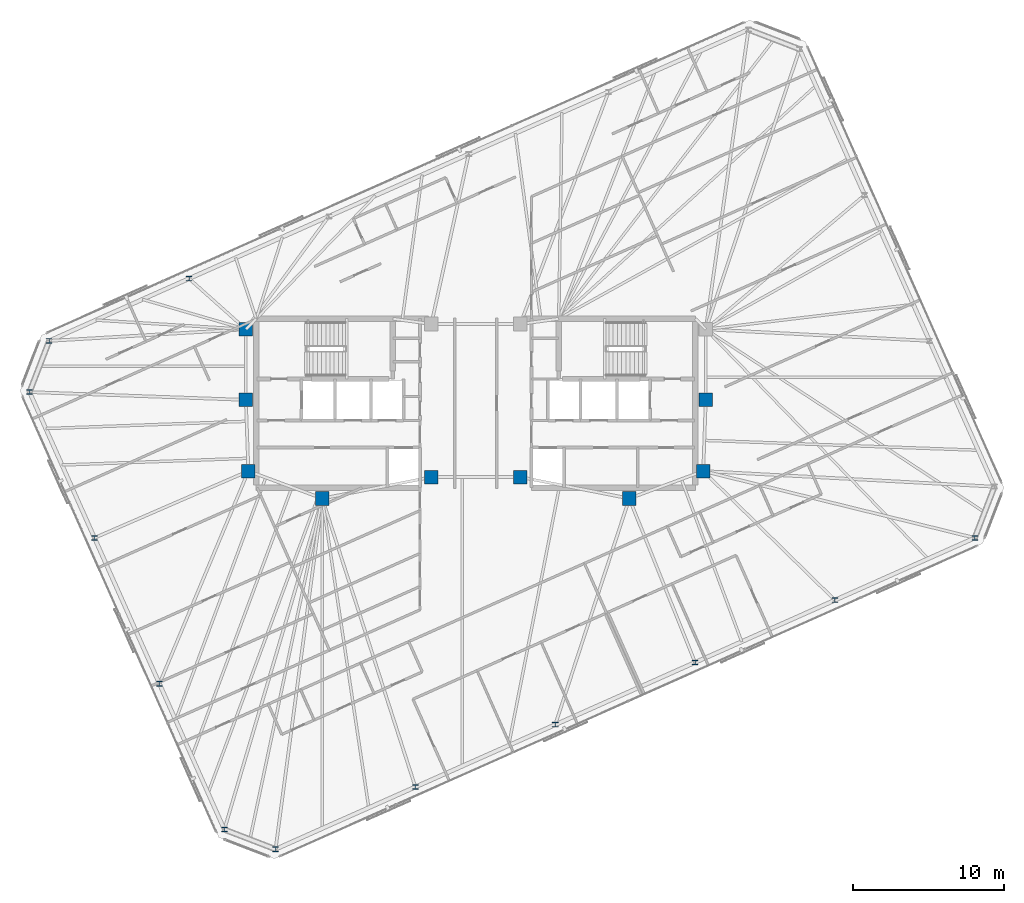
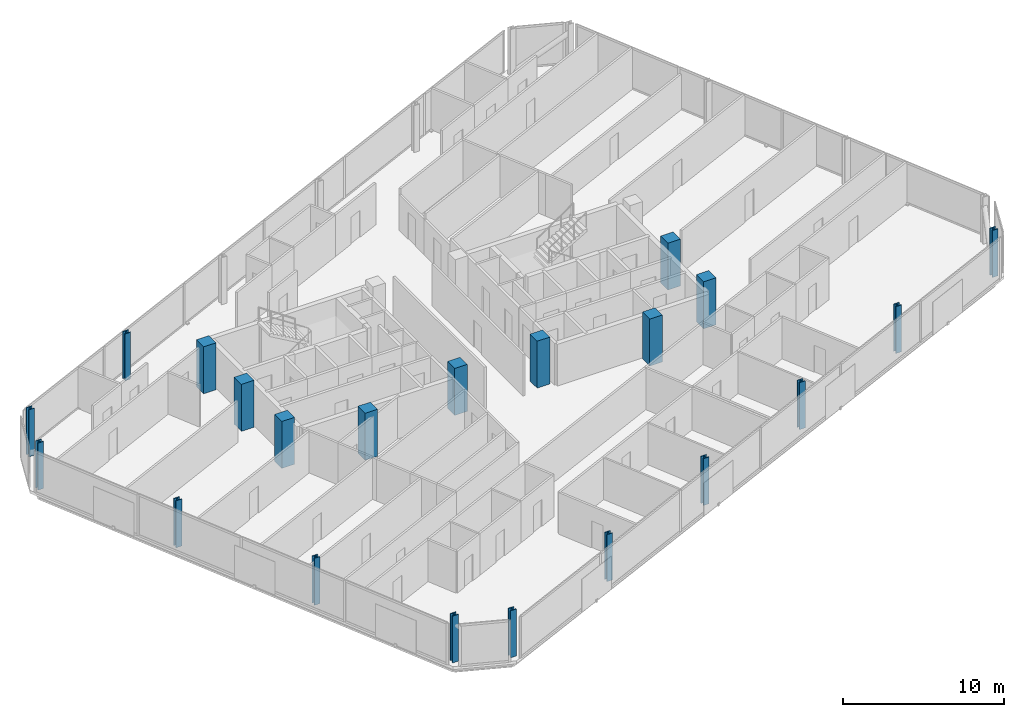
# One storey, part 1 of 19: 21 columns.
"""IFC4 building model written with IfcOpenShell, lengths in metres."""

from ifc_helpers import new_model, si_unit, direction, frame, origin, origin_2d, place, context, subcontext, project, spatial, rectangle, i_section, extrude, material, material_profile, profile_set, type_object, element, save


model = new_model("IFC4")

# Units and contexts
model_context = context("Model", 3, precision=1e-05, world=origin(), true_north=direction((0.0, 1.0)))
body_context = subcontext(model_context, "Body", "Model", "MODEL_VIEW")
ifc_project = project(units=[si_unit("LENGTHUNIT", "METRE"), si_unit("AREAUNIT", "SQUARE_METRE"), si_unit("VOLUMEUNIT", "CUBIC_METRE"), si_unit("PLANEANGLEUNIT", "RADIAN"), si_unit("MASSUNIT", "GRAM", prefix="KILO")], contexts=[model_context])

# Site, building, storey
site_placement = place(None, origin())
site = spatial("IfcSite", under=ifc_project, at=site_placement, CompositionType="ELEMENT")
building_placement = place(site_placement, origin())
building = spatial("IfcBuilding", under=site, at=building_placement, Name="Menara Jurai Vektor", CompositionType="ELEMENT")
storey_placement = place(building_placement, frame((0.0, 0.0, 302.0)))
storey = spatial("IfcBuildingStorey", under=building, at=storey_placement, Name="L81", CompositionType="ELEMENT", Elevation=302.0)

# Columns
ifc_material_1 = material(Name="Concrete C50/60", Category="concrete")
ifc_material_profile_1 = material_profile(ifc_material_1, rectangle(XDim=0.89990234375, YDim=0.89990234375, at=origin_2d()), Name="RC 900x900")
ifc_profile_set_1 = profile_set([ifc_material_profile_1], Name="Concrete C50/60")
column_type_1 = type_object("IfcColumnType", Name="STR-COL-RC900", PredefinedType="COLUMN", material=ifc_profile_set_1)
for number, where, z_axis, x_axis, name in (
    (1, (-15.25, 4.89990234375, 0.0), (0.0, 0.0, 1.0), (1.0, 0.0, 0.0), "Core Spine Column CW-NW L81"),
    (2, (-15.25, 0.219970703125, 0.0), (0.0, 0.0, 1.0), (1.0, 0.0, 0.0), "Core Spine Column CW-WM L81"),
    (3, (-15.080078125, -4.5, 0.0), (0.0, 0.0, 1.0), (1.0, 0.0, 0.0), "Core Spine Column CW-SW L81"),
    (4, (-10.179931640625, -6.320068359375, 0.0), (0.0, 0.0, 1.0), (1.0, 0.0, 0.0), "Core Spine Column CW-SM L81"),
    (5, (-2.949951171875, -4.89990234375, 0.0), (0.0, 0.0, 1.0), (1.0, 0.0, 0.0), "Core Spine Column CW-SE L81"),
    (6, (15.25, 0.219970703125, 0.0), (0.0, 0.0, 1.0), (1.0, 0.0, 0.0), "Core Spine Column CE-EM L81"),
    (7, (15.080078125, -4.5, 0.0), (0.0, 0.0, 1.0), (1.0, 0.0, 0.0), "Core Spine Column CE-SE L81"),
    (8, (10.179931640625, -6.320068359375, 0.0), (0.0, 0.0, 1.0), (1.0, 0.0, 0.0), "Core Spine Column CE-SM L81"),
    (9, (2.949951171875, -4.89990234375, 0.0), (0.0, 0.0, 1.0), (1.0, 0.0, 0.0), "Core Spine Column CE-SW L81"),
):
    element("IfcColumn", number, at=place(storey_placement, frame(where, z_axis=z_axis, x_axis=x_axis)), inside=storey, type_object=column_type_1, Name=name, PredefinedType="COLUMN", context=body_context, shape_type="SweptSolid", body=[
        extrude(rectangle(XDim=0.89990234375, YDim=0.89990234375, at=origin_2d()), origin(), (0.0, 0.0, 1.0), 3.550048828125),
    ])
ifc_material_2 = material(Name="Steel S460", Category="steel")
ifc_material_profile_2 = material_profile(ifc_material_2, i_section(OverallWidth=0.40087890625, OverallDepth=0.3349609375, WebThickness=0.035888671875, FlangeThickness=0.05810546875, FilletRadius=0.014892578125, at=origin_2d()), Name="HD 400x463")
ifc_profile_set_2 = profile_set([ifc_material_profile_2], Name="Steel S460")
column_type_2 = type_object("IfcColumnType", Name="STR-EXO-BLK5", PredefinedType="COLUMN", material=ifc_profile_set_2)
for number, where, z_axis, x_axis, name in (
    (10, (-13.279541015625, -29.576904296875, 0.0), (0.0, 0.0, 1.0), (1.0, 0.0, 0.0), "Exoskeleton Column BLK5-S1 L81"),
    (11, (-4.006103515625, -25.4482421875, 0.0), (0.0, 0.0, 1.0), (1.0, 0.0, 0.0), "Exoskeleton Column BLK5-S2 L81"),
    (12, (5.267578125, -21.3193359375, 0.0), (0.0, 0.0, 1.0), (1.0, 0.0, 0.0), "Exoskeleton Column BLK5-S3 L81"),
    (13, (14.541015625, -17.1904296875, 0.0), (0.0, 0.0, 1.0), (1.0, 0.0, 0.0), "Exoskeleton Column BLK5-S4 L81"),
    (14, (23.814453125, -13.061767578125, 0.0), (0.0, 0.0, 1.0), (1.0, 0.0, 0.0), "Exoskeleton Column BLK5-S5 L81"),
    (15, (33.088134765625, -8.932861328125, 0.0), (0.0, 0.0, 1.0), (1.0, 0.0, 0.0), "Exoskeleton Column BLK5-S6 L81"),
    (16, (-19.0146484375, 8.26171875, 0.0), (0.0, 0.0, 1.0), (1.0, 0.0, 0.0), "Exoskeleton Column BLK5-N5 L81"),
    (17, (-28.2880859375, 4.1328125, 0.0), (0.0, 0.0, 1.0), (1.0, 0.0, 0.0), "Exoskeleton Column BLK5-N6 L81"),
    (18, (-29.591796875, 0.73681640625, 0.0), (0.0, 0.0, 1.0), (1.0, 0.0, 0.0), "Exoskeleton Column BLK5-W1 L81"),
    (19, (-25.286376953125, -8.933349609375, 0.0), (0.0, 0.0, 1.0), (1.0, 0.0, 0.0), "Exoskeleton Column BLK5-W2 L81"),
    (20, (-20.98095703125, -18.603271484375, 0.0), (0.0, 0.0, 1.0), (1.0, 0.0, 0.0), "Exoskeleton Column BLK5-W3 L81"),
    (21, (-16.675537109375, -28.2734375, 0.0), (0.0, 0.0, 1.0), (1.0, 0.0, 0.0), "Exoskeleton Column BLK5-W4 L81"),
):
    element("IfcColumn", number, at=place(storey_placement, frame(where, z_axis=z_axis, x_axis=x_axis)), inside=storey, type_object=column_type_2, Name=name, PredefinedType="COLUMN", context=body_context, shape_type="SweptSolid", body=[
        extrude(i_section(OverallWidth=0.40087890625, OverallDepth=0.3349609375, WebThickness=0.035888671875, FlangeThickness=0.05810546875, FilletRadius=0.014892578125, at=origin_2d()), origin(), (0.0, 0.0, 1.0), 3.550048828125),
    ])

save(model, "model.ifc")
